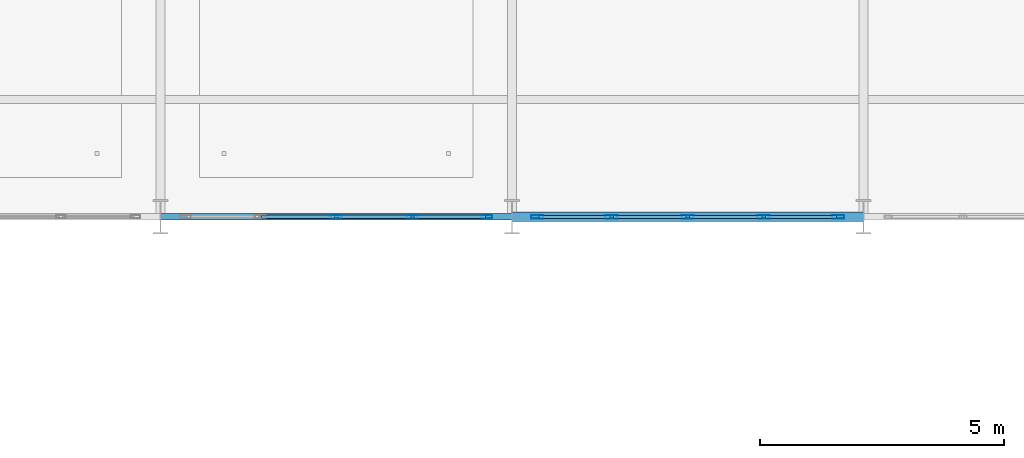
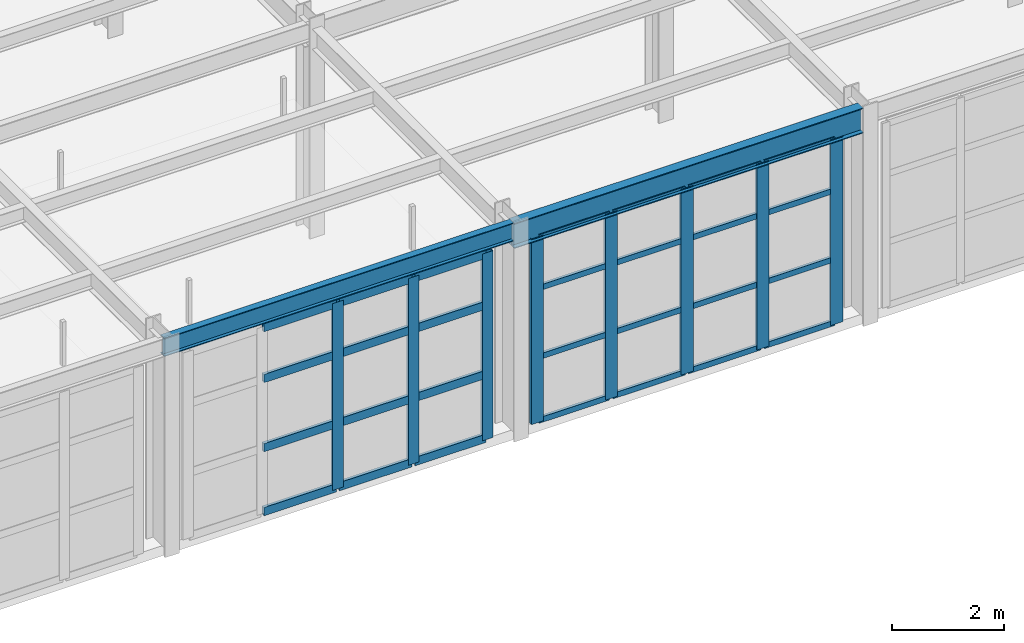
# One storey, part 35 of 121: 36 members, 2 beams, 2 elements without a shape of their own.
"""IFC4 building model written with IfcOpenShell, lengths in metres."""

from ifc_helpers import new_model, si_unit, direction, frame, origin, origin_2d, place, context, subcontext, project, spatial, hollow_rectangle, i_section, extrude, material, layer, layer_set, material_profile, profile_set, type_object, element, aggregate, save


model = new_model("IFC4")

# Units and contexts
model_context = context("Model", 3, precision=1e-05, world=origin(), true_north=direction((0.0, 1.0)))
body_context = subcontext(model_context, "Body", "Model", "MODEL_VIEW")
ifc_project = project(units=[si_unit("LENGTHUNIT", "METRE"), si_unit("AREAUNIT", "SQUARE_METRE"), si_unit("VOLUMEUNIT", "CUBIC_METRE"), si_unit("PLANEANGLEUNIT", "RADIAN"), si_unit("MASSUNIT", "GRAM", prefix="KILO")], contexts=[model_context])

# Site, building, storey
site_placement = place(None, origin())
site = spatial("IfcSite", under=ifc_project, at=site_placement, CompositionType="ELEMENT")
building_placement = place(site_placement, origin())
building = spatial("IfcBuilding", under=site, at=building_placement, Name="Solvadek Multi-Sports Hall", CompositionType="ELEMENT")
storey_placement = place(building_placement, frame((0.0, 0.0, 4.800048828125)))
storey = spatial("IfcBuildingStorey", under=building, at=storey_placement, Name="L01", CompositionType="ELEMENT", Elevation=4.800048828125)

# Curtain wall, members
ifc_material_1 = material(Name="Anodised aluminium", Category="aluminium")
ifc_layer_1 = layer(ifc_material_1, 0.159912109375, Name="Anodised aluminium")
ifc_layer_set_1 = layer_set([ifc_layer_1], Name="Anodised aluminium")
curtain_wall_type_1 = type_object("IfcCurtainWallType", Name="ENV-CW-624X408", PredefinedType="USERDEFINED", material=ifc_layer_set_1)
curtain_wall_1_placement = place(storey_placement, origin())
curtain_wall_1 = element("IfcCurtainWall", 1, at=curtain_wall_1_placement, inside=storey, type_object=curtain_wall_type_1, Name="L01 Perimeter Bay Curtain Wall #162", ObjectType="CURTAIN WALL", PredefinedType="USERDEFINED")
ifc_material_profile_1 = material_profile(ifc_material_1, hollow_rectangle(XDim=0.06494140625, YDim=0.219970703125, WallThickness=0.0048828125, at=origin_2d()), Name="ALU-M 220x65x5")
ifc_profile_set_1 = profile_set([ifc_material_profile_1], Name="Anodised aluminium")
member_type_1 = type_object("IfcMemberType", Name="ENV-CWM-04", PredefinedType="MULLION", material=ifc_profile_set_1)
member_1_placement = place(storey_placement, frame((32.39990234375, 49.199951171875, 0.0), z_axis=(0.0, 0.0, 1.0), x_axis=(0.0, 1.0, 0.0)))
member_1 = element("IfcMember", 2, at=member_1_placement, type_object=member_type_1, Name="CW-40 mullion 3", PredefinedType="MULLION", context=body_context, shape_type="SweptSolid", body=[
    extrude(hollow_rectangle(XDim=0.06494140625, YDim=0.219970703125, WallThickness=0.0048828125, at=origin_2d()), origin(), (0.0, 0.0, 1.0), 4.074951171875),
])
member_2_placement = place(storey_placement, frame((33.9599609375, 49.199951171875, 0.0), z_axis=(0.0, 0.0, 1.0), x_axis=(0.0, 1.0, 0.0)))
member_2 = element("IfcMember", 3, at=member_2_placement, type_object=member_type_1, Name="CW-40 mullion 4", PredefinedType="MULLION", context=body_context, shape_type="SweptSolid", body=[
    extrude(hollow_rectangle(XDim=0.06494140625, YDim=0.219970703125, WallThickness=0.0048828125, at=origin_2d()), origin(), (0.0, 0.0, 1.0), 4.074951171875),
])
member_3_placement = place(storey_placement, frame((35.487548828125, 49.199951171875, 0.0), z_axis=(0.0, 0.0, 1.0), x_axis=(0.0, 1.0, 0.0)))
member_3 = element("IfcMember", 4, at=member_3_placement, type_object=member_type_1, Name="CW-40 mullion 5", PredefinedType="MULLION", context=body_context, shape_type="SweptSolid", body=[
    extrude(hollow_rectangle(XDim=0.06494140625, YDim=0.219970703125, WallThickness=0.0048828125, at=origin_2d()), origin(), (0.0, 0.0, 1.0), 4.074951171875),
])

ifc_layer_2 = layer(ifc_material_1, 0.159912109375, Name="Anodised aluminium")
ifc_layer_set_2 = layer_set([ifc_layer_2], Name="Anodised aluminium")
curtain_wall_type_2 = type_object("IfcCurtainWallType", Name="ENV-CW-624X405", PredefinedType="USERDEFINED", material=ifc_layer_set_2)
curtain_wall_2_placement = place(storey_placement, origin())
curtain_wall_2 = element("IfcCurtainWall", 5, at=curtain_wall_2_placement, inside=storey, type_object=curtain_wall_type_2, Name="L01 Perimeter Bay Curtain Wall #166", ObjectType="CURTAIN WALL", PredefinedType="USERDEFINED")
ifc_material_profile_2 = material_profile(ifc_material_1, hollow_rectangle(XDim=0.070068359375, YDim=0.25, WallThickness=0.0048828125, at=origin_2d()), Name="ALU-M 250x70x5")
ifc_profile_set_2 = profile_set([ifc_material_profile_2], Name="Anodised aluminium")
member_type_2 = type_object("IfcMemberType", Name="ENV-CWM-05", PredefinedType="MULLION", material=ifc_profile_set_2)
member_4_placement = place(storey_placement, frame((36.514892578125, 49.199951171875, 0.0), z_axis=(0.0, 0.0, 1.0), x_axis=(0.0, 1.0, 0.0)))
member_4 = element("IfcMember", 6, at=member_4_placement, type_object=member_type_2, Name="CW-52 mullion 1", PredefinedType="MULLION", context=body_context, shape_type="SweptSolid", body=[
    extrude(hollow_rectangle(XDim=0.070068359375, YDim=0.25, WallThickness=0.0048828125, at=origin_2d()), origin(), (0.0, 0.0, 1.0), 4.050048828125),
])
member_5_placement = place(storey_placement, frame((38.0400390625, 49.199951171875, 0.0), z_axis=(0.0, 0.0, 1.0), x_axis=(0.0, 1.0, 0.0)))
member_5 = element("IfcMember", 7, at=member_5_placement, type_object=member_type_2, Name="CW-52 mullion 2", PredefinedType="MULLION", context=body_context, shape_type="SweptSolid", body=[
    extrude(hollow_rectangle(XDim=0.070068359375, YDim=0.25, WallThickness=0.0048828125, at=origin_2d()), origin(), (0.0, 0.0, 1.0), 4.050048828125),
])
member_6_placement = place(storey_placement, frame((39.60009765625, 49.199951171875, 0.0), z_axis=(0.0, 0.0, 1.0), x_axis=(0.0, 1.0, 0.0)))
member_6 = element("IfcMember", 8, at=member_6_placement, type_object=member_type_2, Name="CW-52 mullion 3", PredefinedType="MULLION", context=body_context, shape_type="SweptSolid", body=[
    extrude(hollow_rectangle(XDim=0.070068359375, YDim=0.25, WallThickness=0.0048828125, at=origin_2d()), origin(), (0.0, 0.0, 1.0), 4.050048828125),
])
member_7_placement = place(storey_placement, frame((41.159912109375, 49.199951171875, 0.0), z_axis=(0.0, 0.0, 1.0), x_axis=(0.0, 1.0, 0.0)))
member_7 = element("IfcMember", 9, at=member_7_placement, type_object=member_type_2, Name="CW-52 mullion 4", PredefinedType="MULLION", context=body_context, shape_type="SweptSolid", body=[
    extrude(hollow_rectangle(XDim=0.070068359375, YDim=0.25, WallThickness=0.0048828125, at=origin_2d()), origin(), (0.0, 0.0, 1.0), 4.050048828125),
])
member_8_placement = place(storey_placement, frame((42.68505859375, 49.199951171875, 0.0), z_axis=(0.0, 0.0, 1.0), x_axis=(0.0, 1.0, 0.0)))
member_8 = element("IfcMember", 10, at=member_8_placement, type_object=member_type_2, Name="CW-52 mullion 5", PredefinedType="MULLION", context=body_context, shape_type="SweptSolid", body=[
    extrude(hollow_rectangle(XDim=0.070068359375, YDim=0.25, WallThickness=0.0048828125, at=origin_2d()), origin(), (0.0, 0.0, 1.0), 4.050048828125),
])
ifc_material_profile_3 = material_profile(ifc_material_1, hollow_rectangle(XDim=0.06005859375, YDim=0.1201171875, WallThickness=0.00390625, at=origin_2d()), Name="ALU-T 120x60x4")
ifc_profile_set_3 = profile_set([ifc_material_profile_3], Name="Anodised aluminium")
member_type_3 = type_object("IfcMemberType", Name="ENV-CWT-01", PredefinedType="USERDEFINED", material=ifc_profile_set_3)
member_9_placement = place(storey_placement, frame((36.550048828125, 49.199951171875, 0.030029296875), z_axis=(1.0, 0.0, 0.0), x_axis=(0.0, 1.0, 0.0)))
member_9 = element("IfcMember", 11, at=member_9_placement, type_object=member_type_3, Name="CW-52 transom 1.1", ObjectType="TRANSOM", PredefinedType="USERDEFINED", context=body_context, shape_type="SweptSolid", body=[
    extrude(hollow_rectangle(XDim=0.06005859375, YDim=0.1201171875, WallThickness=0.00390625, at=origin_2d()), origin(), (0.0, 0.0, 1.0), 1.454833984375),
])
member_10_placement = place(storey_placement, frame((36.550048828125, 49.199951171875, 1.4169921875), z_axis=(1.0, 0.0, 0.0), x_axis=(0.0, 1.0, 0.0)))
member_10 = element("IfcMember", 12, at=member_10_placement, type_object=member_type_3, Name="CW-52 transom 1.2", ObjectType="TRANSOM", PredefinedType="USERDEFINED", context=body_context, shape_type="SweptSolid", body=[
    extrude(hollow_rectangle(XDim=0.06005859375, YDim=0.1201171875, WallThickness=0.00390625, at=origin_2d()), origin(), (0.0, 0.0, 1.0), 1.454833984375),
])
member_11_placement = place(storey_placement, frame((36.550048828125, 49.199951171875, 2.916015625), z_axis=(1.0, 0.0, 0.0), x_axis=(0.0, 1.0, 0.0)))
member_11 = element("IfcMember", 13, at=member_11_placement, type_object=member_type_3, Name="CW-52 transom 1.3", ObjectType="TRANSOM", PredefinedType="USERDEFINED", context=body_context, shape_type="SweptSolid", body=[
    extrude(hollow_rectangle(XDim=0.06005859375, YDim=0.1201171875, WallThickness=0.00390625, at=origin_2d()), origin(), (0.0, 0.0, 1.0), 1.454833984375),
])
member_12_placement = place(storey_placement, frame((36.550048828125, 49.199951171875, 4.02001953125), z_axis=(1.0, 0.0, 0.0), x_axis=(0.0, 1.0, 0.0)))
member_12 = element("IfcMember", 14, at=member_12_placement, type_object=member_type_3, Name="CW-52 transom 1.4", ObjectType="TRANSOM", PredefinedType="USERDEFINED", context=body_context, shape_type="SweptSolid", body=[
    extrude(hollow_rectangle(XDim=0.06005859375, YDim=0.1201171875, WallThickness=0.00390625, at=origin_2d()), origin(), (0.0, 0.0, 1.0), 1.454833984375),
])
member_13_placement = place(storey_placement, frame((38.074951171875, 49.199951171875, 0.030029296875), z_axis=(1.0, 0.0, 0.0), x_axis=(0.0, 1.0, 0.0)))
member_13 = element("IfcMember", 15, at=member_13_placement, type_object=member_type_3, Name="CW-52 transom 2.1", ObjectType="TRANSOM", PredefinedType="USERDEFINED", context=body_context, shape_type="SweptSolid", body=[
    extrude(hollow_rectangle(XDim=0.06005859375, YDim=0.1201171875, WallThickness=0.00390625, at=origin_2d()), origin(), (0.0, 0.0, 1.0), 1.489990234375),
])
member_14_placement = place(storey_placement, frame((38.074951171875, 49.199951171875, 1.4169921875), z_axis=(1.0, 0.0, 0.0), x_axis=(0.0, 1.0, 0.0)))
member_14 = element("IfcMember", 16, at=member_14_placement, type_object=member_type_3, Name="CW-52 transom 2.2", ObjectType="TRANSOM", PredefinedType="USERDEFINED", context=body_context, shape_type="SweptSolid", body=[
    extrude(hollow_rectangle(XDim=0.06005859375, YDim=0.1201171875, WallThickness=0.00390625, at=origin_2d()), origin(), (0.0, 0.0, 1.0), 1.489990234375),
])
member_15_placement = place(storey_placement, frame((38.074951171875, 49.199951171875, 2.916015625), z_axis=(1.0, 0.0, 0.0), x_axis=(0.0, 1.0, 0.0)))
member_15 = element("IfcMember", 17, at=member_15_placement, type_object=member_type_3, Name="CW-52 transom 2.3", ObjectType="TRANSOM", PredefinedType="USERDEFINED", context=body_context, shape_type="SweptSolid", body=[
    extrude(hollow_rectangle(XDim=0.06005859375, YDim=0.1201171875, WallThickness=0.00390625, at=origin_2d()), origin(), (0.0, 0.0, 1.0), 1.489990234375),
])
member_16_placement = place(storey_placement, frame((38.074951171875, 49.199951171875, 4.02001953125), z_axis=(1.0, 0.0, 0.0), x_axis=(0.0, 1.0, 0.0)))
member_16 = element("IfcMember", 18, at=member_16_placement, type_object=member_type_3, Name="CW-52 transom 2.4", ObjectType="TRANSOM", PredefinedType="USERDEFINED", context=body_context, shape_type="SweptSolid", body=[
    extrude(hollow_rectangle(XDim=0.06005859375, YDim=0.1201171875, WallThickness=0.00390625, at=origin_2d()), origin(), (0.0, 0.0, 1.0), 1.489990234375),
])
member_17_placement = place(storey_placement, frame((39.635009765625, 49.199951171875, 0.030029296875), z_axis=(1.0, 0.0, 0.0), x_axis=(0.0, 1.0, 0.0)))
member_17 = element("IfcMember", 19, at=member_17_placement, type_object=member_type_3, Name="CW-52 transom 3.1", ObjectType="TRANSOM", PredefinedType="USERDEFINED", context=body_context, shape_type="SweptSolid", body=[
    extrude(hollow_rectangle(XDim=0.06005859375, YDim=0.1201171875, WallThickness=0.00390625, at=origin_2d()), origin(), (0.0, 0.0, 1.0), 1.489990234375),
])
member_18_placement = place(storey_placement, frame((39.635009765625, 49.199951171875, 1.4169921875), z_axis=(1.0, 0.0, 0.0), x_axis=(0.0, 1.0, 0.0)))
member_18 = element("IfcMember", 20, at=member_18_placement, type_object=member_type_3, Name="CW-52 transom 3.2", ObjectType="TRANSOM", PredefinedType="USERDEFINED", context=body_context, shape_type="SweptSolid", body=[
    extrude(hollow_rectangle(XDim=0.06005859375, YDim=0.1201171875, WallThickness=0.00390625, at=origin_2d()), origin(), (0.0, 0.0, 1.0), 1.489990234375),
])
member_19_placement = place(storey_placement, frame((39.635009765625, 49.199951171875, 2.916015625), z_axis=(1.0, 0.0, 0.0), x_axis=(0.0, 1.0, 0.0)))
member_19 = element("IfcMember", 21, at=member_19_placement, type_object=member_type_3, Name="CW-52 transom 3.3", ObjectType="TRANSOM", PredefinedType="USERDEFINED", context=body_context, shape_type="SweptSolid", body=[
    extrude(hollow_rectangle(XDim=0.06005859375, YDim=0.1201171875, WallThickness=0.00390625, at=origin_2d()), origin(), (0.0, 0.0, 1.0), 1.489990234375),
])
member_20_placement = place(storey_placement, frame((39.635009765625, 49.199951171875, 4.02001953125), z_axis=(1.0, 0.0, 0.0), x_axis=(0.0, 1.0, 0.0)))
member_20 = element("IfcMember", 22, at=member_20_placement, type_object=member_type_3, Name="CW-52 transom 3.4", ObjectType="TRANSOM", PredefinedType="USERDEFINED", context=body_context, shape_type="SweptSolid", body=[
    extrude(hollow_rectangle(XDim=0.06005859375, YDim=0.1201171875, WallThickness=0.00390625, at=origin_2d()), origin(), (0.0, 0.0, 1.0), 1.489990234375),
])
member_21_placement = place(storey_placement, frame((41.195068359375, 49.199951171875, 0.030029296875), z_axis=(1.0, 0.0, 0.0), x_axis=(0.0, 1.0, 0.0)))
member_21 = element("IfcMember", 23, at=member_21_placement, type_object=member_type_3, Name="CW-52 transom 4.1", ObjectType="TRANSOM", PredefinedType="USERDEFINED", context=body_context, shape_type="SweptSolid", body=[
    extrude(hollow_rectangle(XDim=0.06005859375, YDim=0.1201171875, WallThickness=0.00390625, at=origin_2d()), origin(), (0.0, 0.0, 1.0), 1.454833984375),
])
member_22_placement = place(storey_placement, frame((41.195068359375, 49.199951171875, 1.4169921875), z_axis=(1.0, 0.0, 0.0), x_axis=(0.0, 1.0, 0.0)))
member_22 = element("IfcMember", 24, at=member_22_placement, type_object=member_type_3, Name="CW-52 transom 4.2", ObjectType="TRANSOM", PredefinedType="USERDEFINED", context=body_context, shape_type="SweptSolid", body=[
    extrude(hollow_rectangle(XDim=0.06005859375, YDim=0.1201171875, WallThickness=0.00390625, at=origin_2d()), origin(), (0.0, 0.0, 1.0), 1.454833984375),
])
member_23_placement = place(storey_placement, frame((41.195068359375, 49.199951171875, 2.916015625), z_axis=(1.0, 0.0, 0.0), x_axis=(0.0, 1.0, 0.0)))
member_23 = element("IfcMember", 25, at=member_23_placement, type_object=member_type_3, Name="CW-52 transom 4.3", ObjectType="TRANSOM", PredefinedType="USERDEFINED", context=body_context, shape_type="SweptSolid", body=[
    extrude(hollow_rectangle(XDim=0.06005859375, YDim=0.1201171875, WallThickness=0.00390625, at=origin_2d()), origin(), (0.0, 0.0, 1.0), 1.454833984375),
])
member_24_placement = place(storey_placement, frame((41.195068359375, 49.199951171875, 4.02001953125), z_axis=(1.0, 0.0, 0.0), x_axis=(0.0, 1.0, 0.0)))
member_24 = element("IfcMember", 26, at=member_24_placement, type_object=member_type_3, Name="CW-52 transom 4.4", ObjectType="TRANSOM", PredefinedType="USERDEFINED", context=body_context, shape_type="SweptSolid", body=[
    extrude(hollow_rectangle(XDim=0.06005859375, YDim=0.1201171875, WallThickness=0.00390625, at=origin_2d()), origin(), (0.0, 0.0, 1.0), 1.454833984375),
])
aggregate(curtain_wall_2, [member_4, member_5, member_6, member_7, member_8, member_9, member_10, member_11, member_12, member_13, member_14, member_15, member_16, member_17, member_18, member_19, member_20, member_21, member_22, member_23, member_24])

# Member
ifc_material_profile_4 = material_profile(ifc_material_1, hollow_rectangle(XDim=0.06494140625, YDim=0.179931640625, WallThickness=0.0048828125, at=origin_2d()), Name="ALU-T 180x65x5")
ifc_profile_set_4 = profile_set([ifc_material_profile_4], Name="Anodised aluminium")
member_type_4 = type_object("IfcMemberType", Name="ENV-CWT-04", PredefinedType="USERDEFINED", material=ifc_profile_set_4)
member_25_placement = place(storey_placement, frame((30.87255859375, 49.199951171875, 0.032470703125), z_axis=(1.0, 0.0, 0.0), x_axis=(0.0, 1.0, 0.0)))
member_25 = element("IfcMember", 27, at=member_25_placement, type_object=member_type_4, Name="CW-40 transom 2.1", ObjectType="TRANSOM", PredefinedType="USERDEFINED", context=body_context, shape_type="SweptSolid", body=[
    extrude(hollow_rectangle(XDim=0.06494140625, YDim=0.179931640625, WallThickness=0.0048828125, at=origin_2d()), origin(), (0.0, 0.0, 1.0), 1.494873046875),
])

member_26_placement = place(storey_placement, frame((30.87255859375, 49.199951171875, 1.426025390625), z_axis=(1.0, 0.0, 0.0), x_axis=(0.0, 1.0, 0.0)))
member_26 = element("IfcMember", 28, at=member_26_placement, type_object=member_type_4, Name="CW-40 transom 2.2", ObjectType="TRANSOM", PredefinedType="USERDEFINED", context=body_context, shape_type="SweptSolid", body=[
    extrude(hollow_rectangle(XDim=0.06494140625, YDim=0.179931640625, WallThickness=0.0048828125, at=origin_2d()), origin(), (0.0, 0.0, 1.0), 1.494873046875),
])

member_27_placement = place(storey_placement, frame((30.87255859375, 49.199951171875, 2.933837890625), z_axis=(1.0, 0.0, 0.0), x_axis=(0.0, 1.0, 0.0)))
member_27 = element("IfcMember", 29, at=member_27_placement, type_object=member_type_4, Name="CW-40 transom 2.3", ObjectType="TRANSOM", PredefinedType="USERDEFINED", context=body_context, shape_type="SweptSolid", body=[
    extrude(hollow_rectangle(XDim=0.06494140625, YDim=0.179931640625, WallThickness=0.0048828125, at=origin_2d()), origin(), (0.0, 0.0, 1.0), 1.494873046875),
])

member_28_placement = place(storey_placement, frame((30.87255859375, 49.199951171875, 4.04248046875), z_axis=(1.0, 0.0, 0.0), x_axis=(0.0, 1.0, 0.0)))
member_28 = element("IfcMember", 30, at=member_28_placement, type_object=member_type_4, Name="CW-40 transom 2.4", ObjectType="TRANSOM", PredefinedType="USERDEFINED", context=body_context, shape_type="SweptSolid", body=[
    extrude(hollow_rectangle(XDim=0.06494140625, YDim=0.179931640625, WallThickness=0.0048828125, at=origin_2d()), origin(), (0.0, 0.0, 1.0), 1.494873046875),
])

member_29_placement = place(storey_placement, frame((32.4326171875, 49.199951171875, 0.032470703125), z_axis=(1.0, 0.0, 0.0), x_axis=(0.0, 1.0, 0.0)))
member_29 = element("IfcMember", 31, at=member_29_placement, type_object=member_type_4, Name="CW-40 transom 3.1", ObjectType="TRANSOM", PredefinedType="USERDEFINED", context=body_context, shape_type="SweptSolid", body=[
    extrude(hollow_rectangle(XDim=0.06494140625, YDim=0.179931640625, WallThickness=0.0048828125, at=origin_2d()), origin(), (0.0, 0.0, 1.0), 1.494873046875),
])

member_30_placement = place(storey_placement, frame((32.4326171875, 49.199951171875, 1.426025390625), z_axis=(1.0, 0.0, 0.0), x_axis=(0.0, 1.0, 0.0)))
member_30 = element("IfcMember", 32, at=member_30_placement, type_object=member_type_4, Name="CW-40 transom 3.2", ObjectType="TRANSOM", PredefinedType="USERDEFINED", context=body_context, shape_type="SweptSolid", body=[
    extrude(hollow_rectangle(XDim=0.06494140625, YDim=0.179931640625, WallThickness=0.0048828125, at=origin_2d()), origin(), (0.0, 0.0, 1.0), 1.494873046875),
])

member_31_placement = place(storey_placement, frame((32.4326171875, 49.199951171875, 2.933837890625), z_axis=(1.0, 0.0, 0.0), x_axis=(0.0, 1.0, 0.0)))
member_31 = element("IfcMember", 33, at=member_31_placement, type_object=member_type_4, Name="CW-40 transom 3.3", ObjectType="TRANSOM", PredefinedType="USERDEFINED", context=body_context, shape_type="SweptSolid", body=[
    extrude(hollow_rectangle(XDim=0.06494140625, YDim=0.179931640625, WallThickness=0.0048828125, at=origin_2d()), origin(), (0.0, 0.0, 1.0), 1.494873046875),
])

member_32_placement = place(storey_placement, frame((32.4326171875, 49.199951171875, 4.04248046875), z_axis=(1.0, 0.0, 0.0), x_axis=(0.0, 1.0, 0.0)))
member_32 = element("IfcMember", 34, at=member_32_placement, type_object=member_type_4, Name="CW-40 transom 3.4", ObjectType="TRANSOM", PredefinedType="USERDEFINED", context=body_context, shape_type="SweptSolid", body=[
    extrude(hollow_rectangle(XDim=0.06494140625, YDim=0.179931640625, WallThickness=0.0048828125, at=origin_2d()), origin(), (0.0, 0.0, 1.0), 1.494873046875),
])

member_33_placement = place(storey_placement, frame((33.992431640625, 49.199951171875, 0.032470703125), z_axis=(1.0, 0.0, 0.0), x_axis=(0.0, 1.0, 0.0)))
member_33 = element("IfcMember", 35, at=member_33_placement, type_object=member_type_4, Name="CW-40 transom 4.1", ObjectType="TRANSOM", PredefinedType="USERDEFINED", context=body_context, shape_type="SweptSolid", body=[
    extrude(hollow_rectangle(XDim=0.06494140625, YDim=0.179931640625, WallThickness=0.0048828125, at=origin_2d()), origin(), (0.0, 0.0, 1.0), 1.462646484375),
])

member_34_placement = place(storey_placement, frame((33.992431640625, 49.199951171875, 1.426025390625), z_axis=(1.0, 0.0, 0.0), x_axis=(0.0, 1.0, 0.0)))
member_34 = element("IfcMember", 36, at=member_34_placement, type_object=member_type_4, Name="CW-40 transom 4.2", ObjectType="TRANSOM", PredefinedType="USERDEFINED", context=body_context, shape_type="SweptSolid", body=[
    extrude(hollow_rectangle(XDim=0.06494140625, YDim=0.179931640625, WallThickness=0.0048828125, at=origin_2d()), origin(), (0.0, 0.0, 1.0), 1.462646484375),
])

member_35_placement = place(storey_placement, frame((33.992431640625, 49.199951171875, 2.933837890625), z_axis=(1.0, 0.0, 0.0), x_axis=(0.0, 1.0, 0.0)))
member_35 = element("IfcMember", 37, at=member_35_placement, type_object=member_type_4, Name="CW-40 transom 4.3", ObjectType="TRANSOM", PredefinedType="USERDEFINED", context=body_context, shape_type="SweptSolid", body=[
    extrude(hollow_rectangle(XDim=0.06494140625, YDim=0.179931640625, WallThickness=0.0048828125, at=origin_2d()), origin(), (0.0, 0.0, 1.0), 1.462646484375),
])

member_36_placement = place(storey_placement, frame((33.992431640625, 49.199951171875, 4.04248046875), z_axis=(1.0, 0.0, 0.0), x_axis=(0.0, 1.0, 0.0)))
member_36 = element("IfcMember", 38, at=member_36_placement, type_object=member_type_4, Name="CW-40 transom 4.4", ObjectType="TRANSOM", PredefinedType="USERDEFINED", context=body_context, shape_type="SweptSolid", body=[
    extrude(hollow_rectangle(XDim=0.06494140625, YDim=0.179931640625, WallThickness=0.0048828125, at=origin_2d()), origin(), (0.0, 0.0, 1.0), 1.462646484375),
])

aggregate(curtain_wall_1, [member_1, member_2, member_3, member_25, member_26, member_27, member_28, member_29, member_30, member_31, member_32, member_33, member_34, member_35, member_36])

# Beams
ifc_material_2 = material(Name="Steel E350 (350 MPa)", Category="steel")
ifc_material_profile_5 = material_profile(ifc_material_2, i_section(OverallWidth=0.139892578125, OverallDepth=0.39990234375, WebThickness=0.0087890625, FlangeThickness=0.01611328125, at=origin_2d()), Name="ISMB 400")
ifc_profile_set_5 = profile_set([ifc_material_profile_5], Name="Steel E350 (350 MPa)")
beam_type_1 = type_object("IfcBeamType", Name="STR-BM-ISMB400", PredefinedType="BEAM", material=ifc_profile_set_5)
beam_1_placement = place(storey_placement, frame((28.800048828125, 49.199951171875, 4.35986328125), z_axis=(1.0, 0.0, 0.0), x_axis=(0.0, 1.0, 0.0)))
element("IfcBeam", 39, at=beam_1_placement, inside=storey, type_object=beam_type_1, Name="L01 Girder B-10 #1009", PredefinedType="BEAM", context=body_context, shape_type="SweptSolid", body=[
    extrude(i_section(OverallWidth=0.139892578125, OverallDepth=0.39990234375, WebThickness=0.0087890625, FlangeThickness=0.01611328125, at=origin_2d()), origin(), (0.0, 0.0, 1.0), 7.199951171875),
])
ifc_material_profile_6 = material_profile(ifc_material_2, i_section(OverallWidth=0.18994140625, OverallDepth=0.550048828125, WebThickness=0.01123046875, FlangeThickness=0.019287109375, at=origin_2d()), Name="ISMB 550")
ifc_profile_set_6 = profile_set([ifc_material_profile_6], Name="Steel E350 (350 MPa)")
beam_type_2 = type_object("IfcBeamType", Name="STR-BM-ISMB550", PredefinedType="BEAM", material=ifc_profile_set_6)
beam_2_placement = place(storey_placement, frame((36.0, 49.199951171875, 4.284912109375), z_axis=(1.0, 0.0, 0.0), x_axis=(0.0, 1.0, 0.0)))
element("IfcBeam", 40, at=beam_2_placement, inside=storey, type_object=beam_type_2, Name="L01 Girder B-06 #1010", PredefinedType="BEAM", context=body_context, shape_type="SweptSolid", body=[
    extrude(i_section(OverallWidth=0.18994140625, OverallDepth=0.550048828125, WebThickness=0.01123046875, FlangeThickness=0.019287109375, at=origin_2d()), origin(), (0.0, 0.0, 1.0), 7.199951171875),
])

save(model, "model.ifc")
